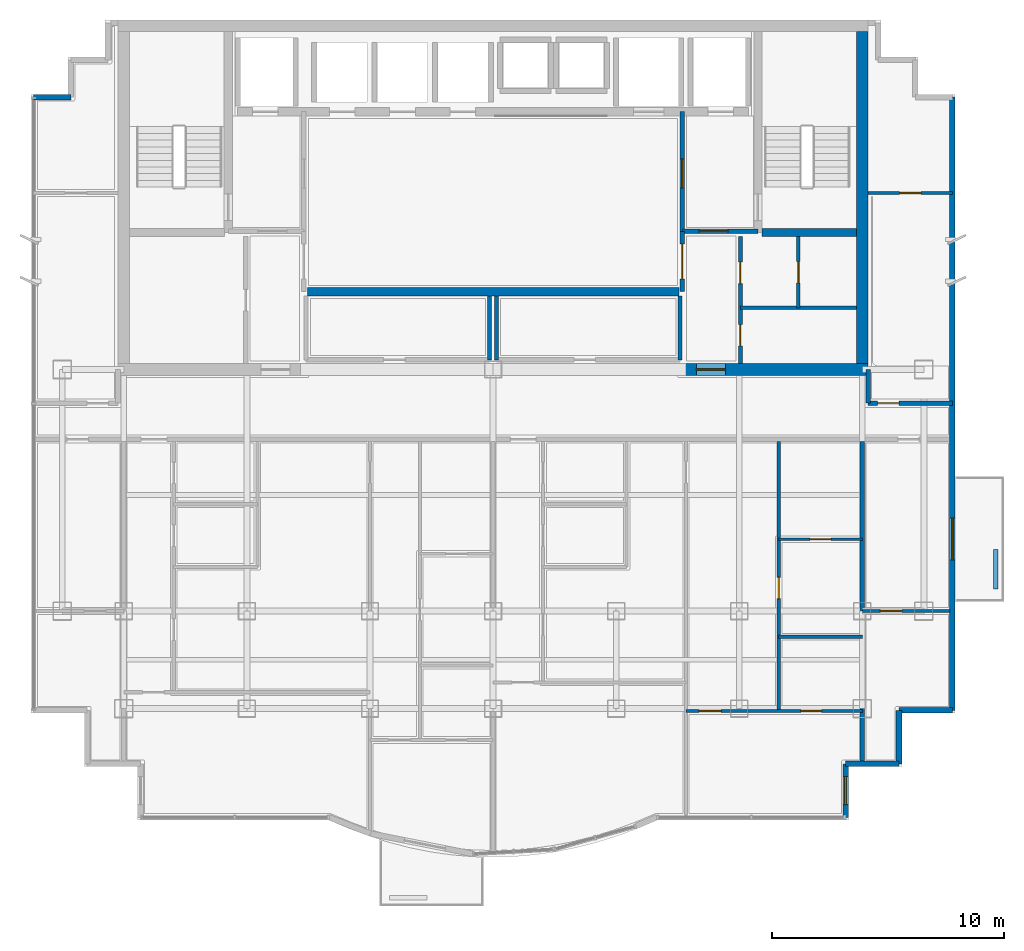
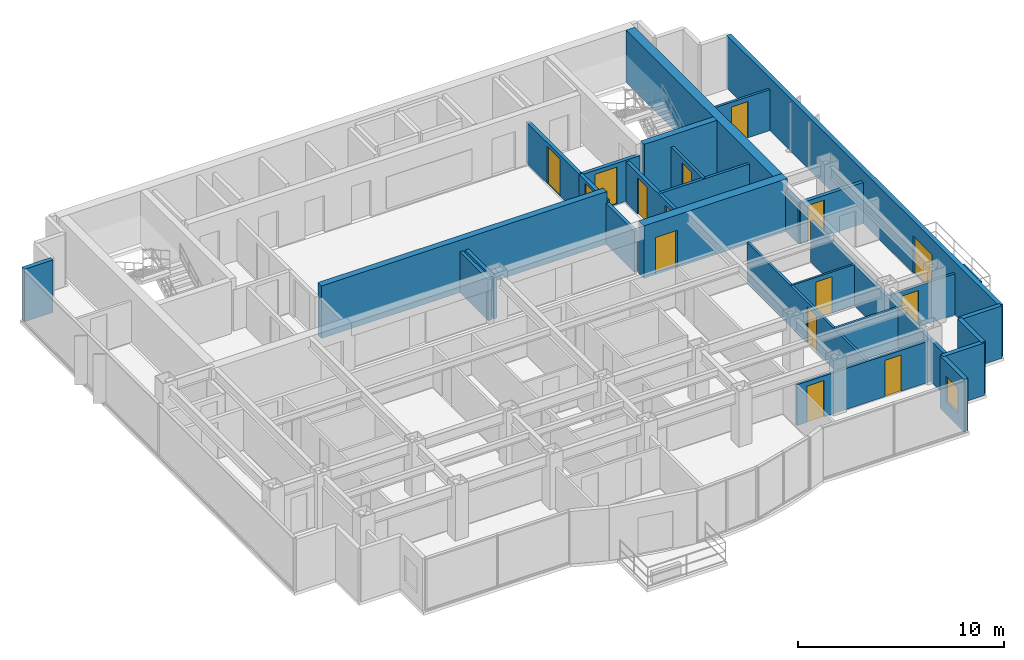
# One storey, part 8 of 11: 29 walls, 15 doors, 1 window, 16 openings.
"""IFC4 building model written with IfcOpenShell, lengths in metres."""

import ifcopenshell
import ifcopenshell.guid

model = None  # the IFC model being written
_history = None  # IfcOwnerHistory: only IFC2X3 demands one
_inside = {}  # id of a spatial element -> (the spatial element, [elements in it])
_under = {}  # id of a project, library or spatial element -> (it, [spatial elements below it])
_declared = {}  # id of a project -> (the project, [libraries it declares])
_typed = {}  # id of a type object -> (the type object, [elements of that type])
_made_of = {}  # id of a material, layer set ... -> (it, [elements and type objects made of it])


def new_model(schema):
    """Start an empty IFC model of exactly this schema.

    Asked for "IFC4X3", IfcOpenShell would pick the latest addendum, in which some entities
    have other attributes; the version numbers below select the first issue.
    IFC2X3 requires an IfcOwnerHistory on every rooted entity: one is made here for all.
    """
    global model, _history
    if schema == "IFC4X3":
        model = ifcopenshell.file(schema_version=(4, 3, 0, 0))
    else:
        model = ifcopenshell.file(schema=schema)
    _inside.clear()
    _under.clear()
    _declared.clear()
    _typed.clear()
    _made_of.clear()
    _history = None
    if model.schema == "IFC2X3":
        org = make("IfcOrganization", Name="unknown")
        user = make(
            "IfcPersonAndOrganization",
            ThePerson=make("IfcPerson", FamilyName="unknown"),
            TheOrganization=org,
        )
        app = make(
            "IfcApplication",
            ApplicationDeveloper=org,
            Version="unknown",
            ApplicationFullName="unknown",
            ApplicationIdentifier="unknown",
        )
        _history = make(
            "IfcOwnerHistory",
            OwningUser=user,
            OwningApplication=app,
            ChangeAction="ADDED",
            CreationDate=0,
        )
    return model


def make(cls, **values):
    """One entity of the class cls with the attributes given. An attribute that is None is left unset."""
    return model.create_entity(
        cls, **{name: value for name, value in values.items() if value is not None}
    )


def rooted(cls, **values):
    """An entity with a GlobalId (a new one), such as an element, a storey or a relation."""
    return make(cls, GlobalId=ifcopenshell.guid.new(), OwnerHistory=_history, **values)


def si_unit(unit_type, name, prefix=None):
    """IfcSIUnit, for example si_unit("LENGTHUNIT", "METRE", prefix="MILLI")."""
    return make("IfcSIUnit", UnitType=unit_type, Prefix=prefix, Name=name)


def assignment(units):
    """IfcUnitAssignment: the units of a project."""
    return None if units is None else make("IfcUnitAssignment", Units=units)


def point(xyz):
    """IfcCartesianPoint."""
    return None if xyz is None else make("IfcCartesianPoint", Coordinates=xyz)


def direction(xyz):
    """IfcDirection."""
    return None if xyz is None else make("IfcDirection", DirectionRatios=xyz)


def frame(location, z_axis=None, x_axis=None):
    """IfcAxis2Placement3D, a coordinate frame: its origin and axes. An axis left out is left unset."""
    return make(
        "IfcAxis2Placement3D",
        Location=point(location),
        Axis=direction(z_axis),
        RefDirection=direction(x_axis),
    )


def frame_2d(location, x_axis=None):
    """IfcAxis2Placement2D, a coordinate frame in the plane: its origin and x axis."""
    return make(
        "IfcAxis2Placement2D", Location=point(location), RefDirection=direction(x_axis)
    )


def origin():
    """The frame at (0, 0, 0) with its axes left unset."""
    return frame((0.0, 0.0, 0.0))


def place(relative_to, where):
    """IfcLocalPlacement: puts the frame where relative to a parent placement (None: the world)."""
    return make(
        "IfcLocalPlacement", PlacementRelTo=relative_to, RelativePlacement=where
    )


def context(
    kind, dimensions, precision=None, world=None, true_north=None, identifier=None
):
    """IfcGeometricRepresentationContext, for example the 3D "Model" context."""
    return make(
        "IfcGeometricRepresentationContext",
        ContextIdentifier=identifier,
        ContextType=kind,
        CoordinateSpaceDimension=dimensions,
        Precision=precision,
        WorldCoordinateSystem=world,
        TrueNorth=true_north,
    )


def subcontext(parent, identifier, kind, view, scale=None):
    """IfcGeometricRepresentationSubContext, for example "Body" below "Model"."""
    return make(
        "IfcGeometricRepresentationSubContext",
        ContextIdentifier=identifier,
        ContextType=kind,
        ParentContext=parent,
        TargetScale=scale,
        TargetView=view,
    )


def project(units=None, contexts=None):
    """IfcProject with its units and contexts."""
    return rooted(
        "IfcProject",
        Name="project",
        RepresentationContexts=contexts,
        UnitsInContext=assignment(units),
    )


def spatial(cls, under=None, at=None, **own):
    """A site, building, storey or space (cls), placed at a placement, below another one or the project."""
    s = rooted(cls, ObjectPlacement=at, **own)
    if under is not None:
        _under.setdefault(under.id(), (under, []))[1].append(s)
    return s


def profile(cls, at=None, kind="AREA", **sizes):
    """A parametric profile (cls). Its sizes go by their IFC names, for example OverallWidth=200.0."""
    return make(cls, ProfileType=kind, Position=at, **sizes)


def rectangle(**sizes):
    """IfcRectangleProfileDef."""
    return profile("IfcRectangleProfileDef", **sizes)


def extrude(swept, where, along, depth):
    """IfcExtrudedAreaSolid: the profile swept, set in the frame where, extruded along a direction by depth."""
    return make(
        "IfcExtrudedAreaSolid",
        SweptArea=swept,
        Position=where,
        ExtrudedDirection=direction(along),
        Depth=depth,
    )


def shape(context_of_items, identifier, shape_type, items):
    """IfcShapeRepresentation: the items that make up one representation, for example the "Body"."""
    return make(
        "IfcShapeRepresentation",
        ContextOfItems=context_of_items,
        RepresentationIdentifier=identifier,
        RepresentationType=shape_type,
        Items=items,
    )


def material(Name=None, Category=None):
    """IfcMaterial."""
    return make("IfcMaterial", Name=Name, Category=Category)


def layer(
    of_material, thickness, ventilated=None, Name=None, Category=None, Priority=None
):
    """IfcMaterialLayer: one layer of a wall or slab, of a material (None: an air gap)."""
    return make(
        "IfcMaterialLayer",
        Material=of_material,
        LayerThickness=thickness,
        IsVentilated=ventilated,
        Name=Name,
        Category=Category,
        Priority=Priority,
    )


def layer_set(layers, Name=None):
    """IfcMaterialLayerSet."""
    return make("IfcMaterialLayerSet", MaterialLayers=layers, LayerSetName=Name)


def made_of(thing, what):
    """Note that an element or type object is made of a material, layer set ...; save() writes the relation."""
    if what is not None:
        _made_of.setdefault(what.id(), (what, []))[1].append(thing)
    return thing


def type_object(cls, material=None, **own):
    """A type object (cls), such as IfcWallType, which elements share."""
    return made_of(rooted(cls, **own), material)


def element(
    cls,
    number,
    at=None,
    inside=None,
    cuts=None,
    type_object=None,
    material=None,
    context=None,
    identifier="Body",
    shape_type=None,
    held_by="IfcProductDefinitionShape",
    body=None,
    shapes=None,
    **own,
):
    """One element of the class cls, such as IfcWall. Its Tag is "e" and its number.

    at: its placement. inside: the storey or other place that contains it. cuts: it is an
    opening in that element (IfcRelVoidsElement). A single representation is given by context,
    identifier, shape_type and body (its items); several are given by shapes. held_by: the class
    of the entity that holds the representations. save() writes the other relations.
    """
    e = rooted(cls, Tag="e%d" % number, ObjectPlacement=at, **own)
    if body is not None:
        shapes = [shape(context, identifier, shape_type, body)]
    if shapes is not None:
        e.Representation = make(held_by, Representations=shapes)
    if inside is not None:
        _inside.setdefault(inside.id(), (inside, []))[1].append(e)
    if cuts is not None:
        rooted(
            "IfcRelVoidsElement", RelatingBuildingElement=cuts, RelatedOpeningElement=e
        )
    if type_object is not None:
        _typed.setdefault(type_object.id(), (type_object, []))[1].append(e)
    return made_of(e, material)


def fill(opening, filler):
    """IfcRelFillsElement: the door or window that sits in an opening."""
    return rooted(
        "IfcRelFillsElement",
        RelatingOpeningElement=opening,
        RelatedBuildingElement=filler,
    )


def aggregate(whole, parts):
    """IfcRelAggregates: a whole, such as a stair, and the parts it consists of."""
    return rooted("IfcRelAggregates", RelatingObject=whole, RelatedObjects=parts)


def save(model, path):
    """Write the relations noted so far, then the file.

    IfcRelAggregates (storeys below a building ...), IfcRelContainedInSpatialStructure (elements
    in a storey), IfcRelDefinesByType, IfcRelAssociatesMaterial and IfcRelDeclares: one each for
    every whole, place, type object, material and project.
    """
    for whole, parts in _under.values():
        aggregate(whole, parts)
    for where, things in _inside.values():
        rooted(
            "IfcRelContainedInSpatialStructure",
            RelatedElements=things,
            RelatingStructure=where,
        )
    for kind, things in _typed.values():
        rooted("IfcRelDefinesByType", RelatedObjects=things, RelatingType=kind)
    for what, things in _made_of.values():
        rooted("IfcRelAssociatesMaterial", RelatedObjects=things, RelatingMaterial=what)
    for by, libraries in _declared.values():
        rooted("IfcRelDeclares", RelatingContext=by, RelatedDefinitions=libraries)
    model.write(path)


model = new_model("IFC4")

# Units and contexts
model_context = context("Model", 3, precision=1e-05, world=origin(), true_north=direction((0.0, 1.0)))
body_context = subcontext(model_context, "Body", "Model", "MODEL_VIEW")
ifc_project = project(units=[si_unit("LENGTHUNIT", "METRE"), si_unit("AREAUNIT", "SQUARE_METRE"), si_unit("VOLUMEUNIT", "CUBIC_METRE"), si_unit("PLANEANGLEUNIT", "RADIAN"), si_unit("MASSUNIT", "GRAM", prefix="KILO")], contexts=[model_context])

# Site, building, storey
site_placement = place(None, origin())
site = spatial("IfcSite", under=ifc_project, at=site_placement, CompositionType="ELEMENT")
building_placement = place(site_placement, origin())
building = spatial("IfcBuilding", under=site, at=building_placement, Name="Qianlan Lanfeng Residences", CompositionType="ELEMENT")
storey_placement = place(building_placement, frame((0.0, 0.0, 226.39990234375)))
storey = spatial("IfcBuildingStorey", under=building, at=storey_placement, Name="L62", CompositionType="ELEMENT", Elevation=226.39990234375)

# Walls
ifc_material_1 = material(Name="Concrete C49", Category="concrete")
ifc_layer_1 = layer(ifc_material_1, 0.35009765625)
ifc_layer_set_1 = layer_set([ifc_layer_1], Name="Concrete C49")
wall_type_1 = type_object("IfcWallType", Name="CW-RC-350", PredefinedType="SHEAR", material=ifc_layer_set_1)
wall_1_placement = place(storey_placement, frame((38.074951171875, 31.10009765625, 0.0), z_axis=(0.0, 0.0, 1.0), x_axis=(1.0, 0.0, 0.0)))
element("IfcWall", 1, at=wall_1_placement, inside=storey, type_object=wall_type_1, Name="L62 Core Shear Wall ST2S", PredefinedType="SHEAR", context=body_context, shape_type="SweptSolid", body=[
    extrude(rectangle(XDim=4.074951171875, YDim=0.35009765625, at=frame_2d((2.03759765625, 0.0))), origin(), (0.0, 0.0, 1.0), 3.110107421875),
])
wall_2_placement = place(storey_placement, frame((18.5, 28.550048828125, 0.0), z_axis=(0.0, 0.0, 1.0), x_axis=(1.0, 0.0, 0.0)))
element("IfcWall", 2, at=wall_2_placement, inside=storey, type_object=wall_type_1, Name="L62 Core Shear Wall LBS", PredefinedType="SHEAR", context=body_context, shape_type="SweptSolid", body=[
    extrude(rectangle(XDim=16.0, YDim=0.35009765625, at=frame_2d((8.0, 0.0))), origin(), (0.0, 0.0, 1.0), 3.110107421875),
])
ifc_material_2 = material(Name="Concrete C70", Category="concrete")
ifc_layer_2 = layer(ifc_material_2, 0.5)
ifc_layer_set_2 = layer_set([ifc_layer_2], Name="Concrete C70")
wall_type_2 = type_object("IfcWallType", Name="CW-RC-500", PredefinedType="SHEAR", material=ifc_layer_set_2)
wall_3_placement = place(storey_placement, frame((42.39990234375, 25.449951171875, 0.0), z_axis=(0.0, 0.0, 1.0), x_axis=(0.0, 1.0, 0.0)))
element("IfcWall", 3, at=wall_3_placement, inside=storey, type_object=wall_type_2, Name="L62 Core Shear Wall E", PredefinedType="SHEAR", context=body_context, shape_type="SweptSolid", body=[
    extrude(rectangle(XDim=14.300048828125, YDim=0.5, at=frame_2d((7.14990234375, 0.0))), origin(), (0.0, 0.0, 1.0), 3.110107421875),
])

# Wall, opening, door
wall_4_placement = place(storey_placement, frame((34.60009765625, 25.199951171875, 0.0), z_axis=(0.0, 0.0, 1.0), x_axis=(1.0, 0.0, 0.0)))
wall_4 = element("IfcWall", 4, at=wall_4_placement, inside=storey, type_object=wall_type_2, Name="L62 Core Shear Wall SE", PredefinedType="SHEAR", context=body_context, shape_type="SweptSolid", body=[
    extrude(rectangle(XDim=8.0498046875, YDim=0.5, at=frame_2d((4.02490234375, 0.0))), origin(), (0.0, 0.0, 1.0), 3.110107421875),
])
opening_1_placement = place(wall_4_placement, frame((0.64990234375, 0.0, 0.0)))
opening_1 = element("IfcOpeningElement", 5, at=opening_1_placement, cuts=wall_4, Name="Opening L62-D02", PredefinedType="OPENING", context=body_context, shape_type="SweptSolid", body=[
    extrude(rectangle(XDim=1.25, YDim=2.199951171875, at=frame_2d((0.625, 1.10009765625))), frame((0.0, 0.260009765625, 0.0), z_axis=(0.0, -1.0, 0.0), x_axis=(1.0, 0.0, 0.0)), (0.0, 0.0, 1.0), 0.52001953125),
])
ifc_material_3 = material(Name="Painted Galvanised Steel Fire Door", Category="steel")
door_type_1 = type_object("IfcDoorType", Name="DT-FFL", OperationType="NOTDEFINED", PredefinedType="DOOR", material=ifc_material_3)
door_1_placement = place(opening_1_placement, origin())
door_1 = element("IfcDoor", 6, at=door_1_placement, inside=storey, type_object=door_type_1, Name="L62 East Core Lobby Smoke Door L62-D02 (DT-FFL)", OperationType="SINGLE_SWING_LEFT", OverallHeight=2.199951171875, OverallWidth=1.25, PredefinedType="DOOR", context=body_context, shape_type="SweptSolid", body=[
    extrude(rectangle(XDim=1.25, YDim=2.199951171875, at=frame_2d((0.625, 1.10009765625))), frame((0.0, 0.02490234375, 0.0), z_axis=(0.0, -1.0, 0.0), x_axis=(1.0, 0.0, 0.0)), (0.0, 0.0, 1.0), 0.050048828125),
])
fill(opening_1, door_1)

# Wall, opening, window
ifc_material_4 = material(Name="Concrete C42", Category="concrete")
ifc_layer_3 = layer(ifc_material_4, 0.239990234375)
ifc_layer_set_3 = layer_set([ifc_layer_3], Name="Concrete C42")
wall_type_3 = type_object("IfcWallType", Name="EW-240", PredefinedType="SOLIDWALL", material=ifc_layer_set_3)
wall_5_placement = place(storey_placement, frame((41.679931640625, 5.919921875, 0.0), z_axis=(0.0, 0.0, 1.0), x_axis=(0.0, 1.0, 0.0)))
wall_5 = element("IfcWall", 7, at=wall_5_placement, inside=storey, type_object=wall_type_3, Name="L62 Exterior Facade Spandrel Wall 8", PredefinedType="SOLIDWALL", context=body_context, shape_type="SweptSolid", body=[
    extrude(rectangle(XDim=2.300048828125, YDim=0.239990234375, at=frame_2d((1.14990234375, 0.0))), origin(), (0.0, 0.0, 1.0), 3.110107421875),
])
opening_2_placement = place(wall_5_placement, frame((0.550048828125, 0.0, 0.75)))
opening_2 = element("IfcOpeningElement", 8, at=opening_2_placement, cuts=wall_5, Name="Opening W-03", PredefinedType="OPENING", context=body_context, shape_type="SweptSolid", body=[
    extrude(rectangle(XDim=1.199951171875, YDim=1.5, at=frame_2d((0.60009765625, 0.75))), frame((0.0, 0.1298828125, 0.0), z_axis=(0.0, -1.0, 0.0), x_axis=(1.0, 0.0, 0.0)), (0.0, 0.0, 1.0), 0.260009765625),
])
ifc_material_5 = material(Name="Anodised Bronze Aluminium Framed Double Glazing", Category="aluminium")
window_type = type_object("IfcWindowType", Name="W-03", PartitioningType="SINGLE_PANEL", PredefinedType="WINDOW", material=ifc_material_5)
window_placement = place(opening_2_placement, origin())
window = element("IfcWindow", 9, at=window_placement, inside=storey, type_object=window_type, Name="L62 Facade Punched Window W-03", OverallHeight=1.5, OverallWidth=1.199951171875, PartitioningType="SINGLE_PANEL", PredefinedType="WINDOW", context=body_context, shape_type="SweptSolid", body=[
    extrude(rectangle(XDim=1.199951171875, YDim=1.5, at=frame_2d((0.60009765625, 0.75))), frame((0.0, 0.030029296875, 0.0), z_axis=(0.0, -1.0, 0.0), x_axis=(1.0, 0.0, 0.0)), (0.0, 0.0, 1.0), 0.06005859375),
])
fill(opening_2, window)

# Walls
for number, where, z_axis, x_axis, name in (
    (10, (41.679931640625, 8.219970703125, 0.0), (0.0, 0.0, 1.0), (1.0, 0.0, 0.0), "L62 Exterior Facade Spandrel Wall 9"),
    (11, (43.97998046875, 8.219970703125, 0.0), (0.0, 0.0, 1.0), (0.0, 1.0, 0.0), "L62 Exterior Facade Spandrel Wall 10"),
    (12, (43.97998046875, 10.52001953125, 0.0), (0.0, 0.0, 1.0), (1.0, 0.0, 0.0), "L62 Exterior Facade Spandrel Wall 11"),
):
    element("IfcWall", number, at=place(storey_placement, frame(where, z_axis=z_axis, x_axis=x_axis)), inside=storey, type_object=wall_type_3, Name=name, PredefinedType="SOLIDWALL", context=body_context, shape_type="SweptSolid", body=[
        extrude(rectangle(XDim=2.300048828125, YDim=0.239990234375, at=frame_2d((1.14990234375, 0.0))), origin(), (0.0, 0.0, 1.0), 3.110107421875),
    ])

# Wall, opening, door
wall_6_placement = place(storey_placement, frame((46.280029296875, 10.52001953125, 0.0), z_axis=(0.0, 0.0, 1.0), x_axis=(0.0, 1.0, 0.0)))
wall_6 = element("IfcWall", 13, at=wall_6_placement, inside=storey, type_object=wall_type_3, Name="L62 Terrace/Balcony Access Exterior Wall 12", PredefinedType="SOLIDWALL", context=body_context, shape_type="SweptSolid", body=[
    extrude(rectangle(XDim=26.409912109375, YDim=0.239990234375, at=frame_2d((13.205078125, 0.0))), origin(), (0.0, 0.0, 1.0), 3.110107421875),
])
opening_3_placement = place(wall_6_placement, frame((6.47998046875, 0.0, 0.0)))
opening_3 = element("IfcOpeningElement", 14, at=opening_3_placement, cuts=wall_6, Name="Opening L62-D-EB-S", PredefinedType="OPENING", context=body_context, shape_type="SweptSolid", body=[
    extrude(rectangle(XDim=1.800048828125, YDim=2.199951171875, at=frame_2d((0.89990234375, 1.10009765625))), frame((0.0, 0.1298828125, 0.0), z_axis=(0.0, -1.0, 0.0), x_axis=(1.0, 0.0, 0.0)), (0.0, 0.0, 1.0), 0.260009765625),
])
ifc_material_6 = material(Name="Anodised Bronze Aluminium Framed Glass", Category="aluminium")
door_type_2 = type_object("IfcDoorType", Name="DT-BAL1", OperationType="NOTDEFINED", PredefinedType="DOOR", material=ifc_material_6)
door_2_placement = place(opening_3_placement, frame((1.800048828125, 0.0, 0.0), z_axis=(0.0, 0.0, 1.0), x_axis=(-1.0, 0.0, 0.0)))
door_2 = element("IfcDoor", 15, at=door_2_placement, inside=storey, type_object=door_type_2, Name="L62 Exterior Access Door EB-S", OperationType="DOUBLE_DOOR_SLIDING", OverallHeight=2.199951171875, OverallWidth=1.800048828125, PredefinedType="DOOR", context=body_context, shape_type="SweptSolid", body=[
    extrude(rectangle(XDim=1.800048828125, YDim=2.199951171875, at=frame_2d((0.89990234375, 1.10009765625))), frame((0.0, 0.02490234375, 0.0), z_axis=(0.0, -1.0, 0.0), x_axis=(1.0, 0.0, 0.0)), (0.0, 0.0, 1.0), 0.050048828125),
])
fill(opening_3, door_2)

# Walls
wall_7_placement = place(storey_placement, frame((8.320068359375, 36.929931640625, 0.0), z_axis=(0.0, 0.0, 1.0), x_axis=(-1.0, 0.0, 0.0)))
element("IfcWall", 16, at=wall_7_placement, inside=storey, type_object=wall_type_3, Name="L62 Exterior Facade Spandrel Wall 22", PredefinedType="SOLIDWALL", context=body_context, shape_type="SweptSolid", body=[
    extrude(rectangle(XDim=1.60009765625, YDim=0.239990234375, at=frame_2d((0.800048828125, 0.0))), origin(), (0.0, 0.0, 1.0), 3.110107421875),
])
ifc_layer_4 = layer(ifc_material_4, 0.199951171875)
ifc_layer_set_4 = layer_set([ifc_layer_4], Name="Concrete C42")
wall_type_4 = type_object("IfcWallType", Name="PL-TREE-200", PredefinedType="PARAPET", material=ifc_layer_set_4)
wall_8_placement = place(storey_placement, frame((48.14990234375, 15.75, 0.0), z_axis=(0.0, 0.0, 1.0), x_axis=(0.0, 1.0, 0.0)))
element("IfcWall", 17, at=wall_8_placement, inside=storey, type_object=wall_type_4, Name="L62 East Tree Planter Curb EB-S", PredefinedType="PARAPET", context=body_context, shape_type="SweptSolid", body=[
    extrude(rectangle(XDim=1.699951171875, YDim=0.199951171875, at=frame_2d((0.85009765625, 0.0))), origin(), (0.0, 0.0, 1.0), 0.650146484375),
])

# Wall, opening, door
ifc_material_7 = material(Name="Demountable Acoustic Framing Partition 110 mm")
ifc_layer_5 = layer(ifc_material_7, 0.110107421875)
ifc_layer_set_5 = layer_set([ifc_layer_5], Name="Demountable Acoustic Framing Partition 110 mm")
wall_type_5 = type_object("IfcWallType", Name="PW-110", PredefinedType="MOVABLE", material=ifc_layer_set_5)
wall_9_placement = place(storey_placement, frame((38.800048828125, 17.89697265625, 0.0), z_axis=(0.0, 0.0, 1.0), x_axis=(1.0, 0.0, 0.0)))
wall_9 = element("IfcWall", 18, at=wall_9_placement, inside=storey, type_object=wall_type_5, Name="L62 U02 Wardrobe Split", PredefinedType="MOVABLE", context=body_context, shape_type="SweptSolid", body=[
    extrude(rectangle(XDim=3.599853515625, YDim=0.110107421875, at=frame_2d((1.7998046875, 0.0))), origin(), (0.0, 0.0, 1.0), 2.43017578125),
])
opening_4_placement = place(wall_9_placement, frame((1.340087890625, 0.0, 0.0)))
opening_4 = element("IfcOpeningElement", 19, at=opening_4_placement, cuts=wall_9, Name="Opening L62-D36", PredefinedType="OPENING", context=body_context, shape_type="SweptSolid", body=[
    extrude(rectangle(XDim=0.919921875, YDim=2.14990234375, at=frame_2d((0.4599609375, 1.074951171875))), frame((0.0, 0.06494140625, 0.0), z_axis=(0.0, -1.0, 0.0), x_axis=(1.0, 0.0, 0.0)), (0.0, 0.0, 1.0), 0.130126953125),
])
ifc_material_8 = material(Name="Glazed Timber Kitchen/Study Door", Category="wood")
door_type_3 = type_object("IfcDoorType", Name="DT-INT", OperationType="NOTDEFINED", PredefinedType="DOOR", material=ifc_material_8)
door_3_placement = place(opening_4_placement, origin())
door_3 = element("IfcDoor", 20, at=door_3_placement, inside=storey, type_object=door_type_3, Name="L62 U02 Dressing Inner Door L62-D36 (DT-INT)", OperationType="SINGLE_SWING_LEFT", OverallHeight=2.14990234375, OverallWidth=0.919921875, PredefinedType="DOOR", context=body_context, shape_type="SweptSolid", body=[
    extrude(rectangle(XDim=0.919921875, YDim=2.14990234375, at=frame_2d((0.4599609375, 1.074951171875))), frame((0.0, 0.02490234375, 0.0), z_axis=(0.0, -1.0, 0.0), x_axis=(1.0, 0.0, 0.0)), (0.0, 0.0, 1.0), 0.050048828125),
])
fill(opening_4, door_3)

# Wall, openings, doors
ifc_material_9 = material(Name="Moisture-Resistant Gypsum Partition 135 mm")
ifc_layer_6 = layer(ifc_material_9, 0.135009765625)
ifc_layer_set_6 = layer_set([ifc_layer_6], Name="Moisture-Resistant Gypsum Partition 135 mm")
wall_type_6 = type_object("IfcWallType", Name="PW-135", PredefinedType="PARTITIONING", material=ifc_layer_set_6)
wall_10_placement = place(storey_placement, frame((34.800048828125, 10.493896484375, 0.0), z_axis=(0.0, 0.0, 1.0), x_axis=(1.0, 0.0, 0.0)))
wall_10 = element("IfcWall", 21, at=wall_10_placement, inside=storey, type_object=wall_type_6, Name="L62 U02 Master Bedroom North Wall", PredefinedType="PARTITIONING", context=body_context, shape_type="SweptSolid", body=[
    extrude(rectangle(XDim=7.599853515625, YDim=0.135009765625, at=frame_2d((3.7998046875, 0.0))), origin(), (0.0, 0.0, 1.0), 2.43017578125),
])
opening_5_placement = place(wall_10_placement, frame((0.574951171875, 0.0, 0.0)))
opening_5 = element("IfcOpeningElement", 22, at=opening_5_placement, cuts=wall_10, Name="Opening L62-D33", PredefinedType="OPENING", context=body_context, shape_type="SweptSolid", body=[
    extrude(rectangle(XDim=0.949951171875, YDim=2.14990234375, at=frame_2d((0.47509765625, 1.074951171875))), frame((0.0, 0.07763671875, 0.0), z_axis=(0.0, -1.0, 0.0), x_axis=(1.0, 0.0, 0.0)), (0.0, 0.0, 1.0), 0.155029296875),
])
opening_6_placement = place(wall_10_placement, frame((4.949951171875, 0.0, 0.0)))
opening_6 = element("IfcOpeningElement", 23, at=opening_6_placement, cuts=wall_10, Name="Opening L62-D34", PredefinedType="OPENING", context=body_context, shape_type="SweptSolid", body=[
    extrude(rectangle(XDim=0.89990234375, YDim=2.14990234375, at=frame_2d((0.449951171875, 1.074951171875))), frame((0.0, 0.07763671875, 0.0), z_axis=(0.0, -1.0, 0.0), x_axis=(1.0, 0.0, 0.0)), (0.0, 0.0, 1.0), 0.155029296875),
])
ifc_material_10 = material(Name="Painted Solid-Core Timber Leaf", Category="wood")
door_type_4 = type_object("IfcDoorType", Name="DT-BED", OperationType="NOTDEFINED", PredefinedType="DOOR", material=ifc_material_10)
door_4_placement = place(opening_5_placement, frame((0.949951171875, 0.0, 0.0), z_axis=(0.0, 0.0, 1.0), x_axis=(-1.0, 0.0, 0.0)))
door_4 = element("IfcDoor", 24, at=door_4_placement, inside=storey, type_object=door_type_4, Name="L62 U02 Master Bedroom Door L62-D33 (DT-BED)", OperationType="SINGLE_SWING_RIGHT", OverallHeight=2.14990234375, OverallWidth=0.949951171875, PredefinedType="DOOR", context=body_context, shape_type="SweptSolid", body=[
    extrude(rectangle(XDim=0.949951171875, YDim=2.14990234375, at=frame_2d((0.47509765625, 1.074951171875))), frame((0.0, 0.02490234375, 0.0), z_axis=(0.0, -1.0, 0.0), x_axis=(1.0, 0.0, 0.0)), (0.0, 0.0, 1.0), 0.050048828125),
])
fill(opening_5, door_4)
ifc_material_11 = material(Name="Moisture-Resistant Timber Leaf", Category="wood")
door_type_5 = type_object("IfcDoorType", Name="DT-WC", OperationType="NOTDEFINED", PredefinedType="DOOR", material=ifc_material_11)
door_5_placement = place(opening_6_placement, origin())
door_5 = element("IfcDoor", 25, at=door_5_placement, inside=storey, type_object=door_type_5, Name="L62 U02 En-Suite Bathroom Door L62-D34 (DT-WC)", OperationType="SINGLE_SWING_LEFT", OverallHeight=2.14990234375, OverallWidth=0.89990234375, PredefinedType="DOOR", context=body_context, shape_type="SweptSolid", body=[
    extrude(rectangle(XDim=0.89990234375, YDim=2.14990234375, at=frame_2d((0.449951171875, 1.074951171875))), frame((0.0, 0.02490234375, 0.0), z_axis=(0.0, -1.0, 0.0), x_axis=(1.0, 0.0, 0.0)), (0.0, 0.0, 1.0), 0.050048828125),
])
fill(opening_6, door_5)

# Wall, opening, door
wall_11_placement = place(storey_placement, frame((38.800048828125, 10.493896484375, 0.0), z_axis=(0.0, 0.0, 1.0), x_axis=(0.0, 1.0, 0.0)))
wall_11 = element("IfcWall", 26, at=wall_11_placement, inside=storey, type_object=wall_type_6, Name="L62 U02 Master Passage Wall", PredefinedType="PARTITIONING", context=body_context, shape_type="SweptSolid", body=[
    extrude(rectangle(XDim=11.606201171875, YDim=0.135009765625, at=frame_2d((5.80322265625, 0.0))), origin(), (0.0, 0.0, 1.0), 2.43017578125),
])
opening_7_placement = place(wall_11_placement, frame((4.841064453125, 0.0, 0.0)))
opening_7 = element("IfcOpeningElement", 27, at=opening_7_placement, cuts=wall_11, Name="Opening L62-D35", PredefinedType="OPENING", context=body_context, shape_type="SweptSolid", body=[
    extrude(rectangle(XDim=0.919921875, YDim=2.14990234375, at=frame_2d((0.4599609375, 1.074951171875))), frame((0.0, 0.07763671875, 0.0), z_axis=(0.0, -1.0, 0.0), x_axis=(1.0, 0.0, 0.0)), (0.0, 0.0, 1.0), 0.155029296875),
])
door_6_placement = place(opening_7_placement, origin())
door_6 = element("IfcDoor", 28, at=door_6_placement, inside=storey, type_object=door_type_3, Name="L62 U02 Wardrobe Door L62-D35 (DT-INT)", OperationType="SINGLE_SWING_RIGHT", OverallHeight=2.14990234375, OverallWidth=0.919921875, PredefinedType="DOOR", context=body_context, shape_type="SweptSolid", body=[
    extrude(rectangle(XDim=0.919921875, YDim=2.14990234375, at=frame_2d((0.4599609375, 1.074951171875))), frame((0.0, 0.02490234375, 0.0), z_axis=(0.0, -1.0, 0.0), x_axis=(1.0, 0.0, 0.0)), (0.0, 0.0, 1.0), 0.050048828125),
])
fill(opening_7, door_6)

# Wall
wall_12_placement = place(storey_placement, frame((38.800048828125, 13.694091796875, 0.0), z_axis=(0.0, 0.0, 1.0), x_axis=(1.0, 0.0, 0.0)))
element("IfcWall", 29, at=wall_12_placement, inside=storey, type_object=wall_type_6, Name="L62 U02 En-Suite North Wall", PredefinedType="PARTITIONING", context=body_context, shape_type="SweptSolid", body=[
    extrude(rectangle(XDim=3.599853515625, YDim=0.135009765625, at=frame_2d((1.7998046875, 0.0))), origin(), (0.0, 0.0, 1.0), 2.43017578125),
])

# Wall, opening, door
wall_13_placement = place(storey_placement, frame((42.39990234375, 14.800048828125, 0.0), z_axis=(0.0, 0.0, 1.0), x_axis=(1.0, 0.0, 0.0)))
wall_13 = element("IfcWall", 30, at=wall_13_placement, inside=storey, type_object=wall_type_6, Name="L62 SEP Mid Partition", PredefinedType="PARTITIONING", context=body_context, shape_type="SweptSolid", body=[
    extrude(rectangle(XDim=3.780029296875, YDim=0.135009765625, at=frame_2d((1.89013671875, 0.0))), origin(), (0.0, 0.0, 1.0), 2.43017578125),
])
opening_8_placement = place(wall_13_placement, frame((0.780029296875, 0.0, 0.0)))
opening_8 = element("IfcOpeningElement", 31, at=opening_8_placement, cuts=wall_13, Name="Opening L62-D39", PredefinedType="OPENING", context=body_context, shape_type="SweptSolid", body=[
    extrude(rectangle(XDim=0.919921875, YDim=2.14990234375, at=frame_2d((0.4599609375, 1.074951171875))), frame((0.0, 0.07763671875, 0.0), z_axis=(0.0, -1.0, 0.0), x_axis=(1.0, 0.0, 0.0)), (0.0, 0.0, 1.0), 0.155029296875),
])
door_7_placement = place(opening_8_placement, origin())
door_7 = element("IfcDoor", 32, at=door_7_placement, inside=storey, type_object=door_type_3, Name="L62 SEP Inner Door L62-D39 (DT-INT)", OperationType="SINGLE_SWING_RIGHT", OverallHeight=2.14990234375, OverallWidth=0.919921875, PredefinedType="DOOR", context=body_context, shape_type="SweptSolid", body=[
    extrude(rectangle(XDim=0.919921875, YDim=2.14990234375, at=frame_2d((0.4599609375, 1.074951171875))), frame((0.0, 0.02490234375, 0.0), z_axis=(0.0, -1.0, 0.0), x_axis=(1.0, 0.0, 0.0)), (0.0, 0.0, 1.0), 0.050048828125),
])
fill(opening_8, door_7)

wall_14_placement = place(storey_placement, frame((42.64990234375, 32.800048828125, 0.0), z_axis=(0.0, 0.0, 1.0), x_axis=(1.0, 0.0, 0.0)))
wall_14 = element("IfcWall", 33, at=wall_14_placement, inside=storey, type_object=wall_type_6, Name="L62 EW North Wing Wall", PredefinedType="PARTITIONING", context=body_context, shape_type="SweptSolid", body=[
    extrude(rectangle(XDim=3.630126953125, YDim=0.135009765625, at=frame_2d((1.81494140625, 0.0))), origin(), (0.0, 0.0, 1.0), 2.43017578125),
])
opening_9_placement = place(wall_14_placement, frame((1.35498046875, 0.0, 0.0)))
opening_9 = element("IfcOpeningElement", 34, at=opening_9_placement, cuts=wall_14, Name="Opening L62-D43", PredefinedType="OPENING", context=body_context, shape_type="SweptSolid", body=[
    extrude(rectangle(XDim=0.919921875, YDim=2.14990234375, at=frame_2d((0.4599609375, 1.074951171875))), frame((0.0, 0.07763671875, 0.0), z_axis=(0.0, -1.0, 0.0), x_axis=(1.0, 0.0, 0.0)), (0.0, 0.0, 1.0), 0.155029296875),
])
door_8_placement = place(opening_9_placement, origin())
door_8 = element("IfcDoor", 35, at=door_8_placement, inside=storey, type_object=door_type_3, Name="L62 EW Inner Salon Door L62-D43 (DT-INT)", OperationType="SINGLE_SWING_RIGHT", OverallHeight=2.14990234375, OverallWidth=0.919921875, PredefinedType="DOOR", context=body_context, shape_type="SweptSolid", body=[
    extrude(rectangle(XDim=0.919921875, YDim=2.14990234375, at=frame_2d((0.4599609375, 1.074951171875))), frame((0.0, 0.02490234375, 0.0), z_axis=(0.0, -1.0, 0.0), x_axis=(1.0, 0.0, 0.0)), (0.0, 0.0, 1.0), 0.050048828125),
])
fill(opening_9, door_8)

# Wall
ifc_material_12 = material(Name="Acoustic Drywall Partition 150 mm")
ifc_layer_7 = layer(ifc_material_12, 0.14990234375)
ifc_layer_set_7 = layer_set([ifc_layer_7], Name="Acoustic Drywall Partition 150 mm")
wall_type_7 = type_object("IfcWallType", Name="PW-150", PredefinedType="PARTITIONING", material=ifc_layer_set_7)
wall_15_placement = place(storey_placement, frame((37.14990234375, 27.85009765625, 0.0), z_axis=(0.0, 0.0, 1.0), x_axis=(1.0, 0.0, 0.0)))
element("IfcWall", 36, at=wall_15_placement, inside=storey, type_object=wall_type_7, Name="L62 Core East H Split", PredefinedType="PARTITIONING", context=body_context, shape_type="SweptSolid", body=[
    extrude(rectangle(XDim=5.0, YDim=0.14990234375, at=frame_2d((2.5, 0.0))), origin(), (0.0, 0.0, 1.0), 2.43017578125),
])

# Wall, opening, door
wall_16_placement = place(storey_placement, frame((39.64990234375, 27.85009765625, 0.0), z_axis=(0.0, 0.0, 1.0), x_axis=(0.0, 1.0, 0.0)))
wall_16 = element("IfcWall", 37, at=wall_16_placement, inside=storey, type_object=wall_type_7, Name="L62 Core East V Split", PredefinedType="PARTITIONING", context=body_context, shape_type="SweptSolid", body=[
    extrude(rectangle(XDim=3.074951171875, YDim=0.14990234375, at=frame_2d((1.53759765625, 0.0))), origin(), (0.0, 0.0, 1.0), 2.43017578125),
])
opening_10_placement = place(wall_16_placement, frame((1.077880859375, 0.0, 0.0)))
opening_10 = element("IfcOpeningElement", 38, at=opening_10_placement, cuts=wall_16, Name="Opening L62-D12", PredefinedType="OPENING", context=body_context, shape_type="SweptSolid", body=[
    extrude(rectangle(XDim=0.919921875, YDim=2.14990234375, at=frame_2d((0.4599609375, 1.074951171875))), frame((0.0, 0.0849609375, 0.0), z_axis=(0.0, -1.0, 0.0), x_axis=(1.0, 0.0, 0.0)), (0.0, 0.0, 1.0), 0.169921875),
])
door_9_placement = place(opening_10_placement, origin())
door_9 = element("IfcDoor", 39, at=door_9_placement, inside=storey, type_object=door_type_3, Name="L62 Inner Supply Closet Door L62-D12 (DT-INT)", OperationType="SINGLE_SWING_LEFT", OverallHeight=2.14990234375, OverallWidth=0.919921875, PredefinedType="DOOR", context=body_context, shape_type="SweptSolid", body=[
    extrude(rectangle(XDim=0.919921875, YDim=2.14990234375, at=frame_2d((0.4599609375, 1.074951171875))), frame((0.0, 0.02490234375, 0.0), z_axis=(0.0, -1.0, 0.0), x_axis=(1.0, 0.0, 0.0)), (0.0, 0.0, 1.0), 0.050048828125),
])
fill(opening_10, door_9)

# Wall, openings, doors
ifc_material_13 = material(Name="Double-Layer Acoustic Gypsum Stud Wall 180 mm")
ifc_layer_8 = layer(ifc_material_13, 0.179931640625)
ifc_layer_set_8 = layer_set([ifc_layer_8], Name="Double-Layer Acoustic Gypsum Stud Wall 180 mm")
wall_type_8 = type_object("IfcWallType", Name="PW-180", PredefinedType="PARTITIONING", material=ifc_layer_set_8)
wall_17_placement = place(storey_placement, frame((37.14990234375, 25.449951171875, 0.0), z_axis=(0.0, 0.0, 1.0), x_axis=(0.0, 1.0, 0.0)))
wall_17 = element("IfcWall", 40, at=wall_17_placement, inside=storey, type_object=wall_type_8, Name="L62 Core East Service Room Wall", PredefinedType="PARTITIONING", context=body_context, shape_type="SweptSolid", body=[
    extrude(rectangle(XDim=5.47509765625, YDim=0.179931640625, at=frame_2d((2.737548828125, 0.0))), origin(), (0.0, 0.0, 1.0), 2.43017578125),
])
opening_11_placement = place(wall_17_placement, frame((0.764892578125, 0.0, 0.0)))
opening_11 = element("IfcOpeningElement", 41, at=opening_11_placement, cuts=wall_17, Name="Opening L62-D10", PredefinedType="OPENING", context=body_context, shape_type="SweptSolid", body=[
    extrude(rectangle(XDim=0.919921875, YDim=2.14990234375, at=frame_2d((0.4599609375, 1.074951171875))), frame((0.0, 0.10009765625, 0.0), z_axis=(0.0, -1.0, 0.0), x_axis=(1.0, 0.0, 0.0)), (0.0, 0.0, 1.0), 0.199951171875),
])
opening_12_placement = place(wall_17_placement, frame((3.451904296875, 0.0, 0.0)))
opening_12 = element("IfcOpeningElement", 42, at=opening_12_placement, cuts=wall_17, Name="Opening L62-D11", PredefinedType="OPENING", context=body_context, shape_type="SweptSolid", body=[
    extrude(rectangle(XDim=0.919921875, YDim=2.14990234375, at=frame_2d((0.4599609375, 1.074951171875))), frame((0.0, 0.10009765625, 0.0), z_axis=(0.0, -1.0, 0.0), x_axis=(1.0, 0.0, 0.0)), (0.0, 0.0, 1.0), 0.199951171875),
])
door_10_placement = place(opening_11_placement, origin())
door_10 = element("IfcDoor", 43, at=door_10_placement, inside=storey, type_object=door_type_3, Name="L62 Refuse Room Door L62-D10 (DT-INT)", OperationType="SINGLE_SWING_LEFT", OverallHeight=2.14990234375, OverallWidth=0.919921875, PredefinedType="DOOR", context=body_context, shape_type="SweptSolid", body=[
    extrude(rectangle(XDim=0.919921875, YDim=2.14990234375, at=frame_2d((0.4599609375, 1.074951171875))), frame((0.0, 0.02490234375, 0.0), z_axis=(0.0, -1.0, 0.0), x_axis=(1.0, 0.0, 0.0)), (0.0, 0.0, 1.0), 0.050048828125),
])
fill(opening_11, door_10)
door_11_placement = place(opening_12_placement, origin())
door_11 = element("IfcDoor", 44, at=door_11_placement, inside=storey, type_object=door_type_3, Name="L62 Janitor Outer Door L62-D11 (DT-INT)", OperationType="SINGLE_SWING_RIGHT", OverallHeight=2.14990234375, OverallWidth=0.919921875, PredefinedType="DOOR", context=body_context, shape_type="SweptSolid", body=[
    extrude(rectangle(XDim=0.919921875, YDim=2.14990234375, at=frame_2d((0.4599609375, 1.074951171875))), frame((0.0, 0.02490234375, 0.0), z_axis=(0.0, -1.0, 0.0), x_axis=(1.0, 0.0, 0.0)), (0.0, 0.0, 1.0), 0.050048828125),
])
fill(opening_12, door_11)

# Walls
for number, where, z_axis, x_axis, name in (
    (45, (26.35009765625, 25.6201171875, 0.0), (0.0, 0.0, 1.0), (0.0, 1.0, 0.0), "L62 Reclaimed Low-Bank Room East Wall"),
    (46, (26.64990234375, 25.6201171875, 0.0), (0.0, 0.0, 1.0), (0.0, 1.0, 0.0), "L62 Reclaimed Mid-Bank Room West Wall"),
    (47, (34.550048828125, 25.6201171875, 0.0), (0.0, 0.0, 1.0), (0.0, 1.0, 0.0), "L62 Reclaimed Mid-Bank Room East Wall"),
):
    element("IfcWall", number, at=place(storey_placement, frame(where, z_axis=z_axis, x_axis=x_axis)), inside=storey, type_object=wall_type_8, Name=name, PredefinedType="PARTITIONING", context=body_context, shape_type="SweptSolid", body=[
        extrude(rectangle(XDim=2.7548828125, YDim=0.179931640625, at=frame_2d((1.37744140625, 0.0))), origin(), (0.0, 0.0, 1.0), 2.43017578125),
    ])
wall_18_placement = place(storey_placement, frame((42.39990234375, 8.320068359375, 0.0), z_axis=(0.0, 0.0, 1.0), x_axis=(0.0, 1.0, 0.0)))
element("IfcWall", 48, at=wall_18_placement, inside=storey, type_object=wall_type_8, Name="L62 Wing Boundary Party Wall E0", PredefinedType="PARTITIONING", context=body_context, shape_type="SweptSolid", body=[
    extrude(rectangle(XDim=13.780029296875, YDim=0.179931640625, at=frame_2d((6.89013671875, 0.0))), origin(), (0.0, 0.0, 1.0), 2.43017578125),
])

# Wall, opening, door
ifc_material_14 = material(Name="Autoclaved Aerated Concrete Blockwork 200 mm", Category="masonry")
ifc_layer_9 = layer(ifc_material_14, 0.199951171875)
ifc_layer_set_9 = layer_set([ifc_layer_9], Name="Autoclaved Aerated Concrete Blockwork 200 mm")
wall_type_9 = type_object("IfcWallType", Name="PW-200", PredefinedType="PARTITIONING", material=ifc_layer_set_9)
wall_19_placement = place(storey_placement, frame((34.64990234375, 31.14990234375, 0.0), z_axis=(0.0, 0.0, 1.0), x_axis=(1.0, 0.0, 0.0)))
wall_19 = element("IfcWall", 49, at=wall_19_placement, inside=storey, type_object=wall_type_9, Name="L62 Firefighting Lobby 2 South Wall", PredefinedType="PARTITIONING", context=body_context, shape_type="SweptSolid", body=[
    extrude(rectangle(XDim=3.25, YDim=0.199951171875, at=frame_2d((1.625, 0.0))), origin(), (0.0, 0.0, 1.0), 2.43017578125),
])
opening_13_placement = place(wall_19_placement, frame((0.72509765625, 0.0, 0.0)))
opening_13 = element("IfcOpeningElement", 50, at=opening_13_placement, cuts=wall_19, Name="Opening L62-D05", PredefinedType="OPENING", context=body_context, shape_type="SweptSolid", body=[
    extrude(rectangle(XDim=1.25, YDim=2.199951171875, at=frame_2d((0.625, 1.10009765625))), frame((0.0, 0.10986328125, 0.0), z_axis=(0.0, -1.0, 0.0), x_axis=(1.0, 0.0, 0.0)), (0.0, 0.0, 1.0), 0.219970703125),
])
door_12_placement = place(opening_13_placement, origin())
door_12 = element("IfcDoor", 51, at=door_12_placement, inside=storey, type_object=door_type_1, Name="L62 Firefighting Lobby 2 Entry Door L62-D05 (DT-FFL)", OperationType="SINGLE_SWING_RIGHT", OverallHeight=2.199951171875, OverallWidth=1.25, PredefinedType="DOOR", context=body_context, shape_type="SweptSolid", body=[
    extrude(rectangle(XDim=1.25, YDim=2.199951171875, at=frame_2d((0.625, 1.10009765625))), frame((0.0, 0.02490234375, 0.0), z_axis=(0.0, -1.0, 0.0), x_axis=(1.0, 0.0, 0.0)), (0.0, 0.0, 1.0), 0.050048828125),
])
fill(opening_13, door_12)

wall_20_placement = place(storey_placement, frame((34.64990234375, 31.14990234375, 0.0), z_axis=(0.0, 0.0, 1.0), x_axis=(0.0, 1.0, 0.0)))
wall_20 = element("IfcWall", 52, at=wall_20_placement, inside=storey, type_object=wall_type_9, Name="L62 Firefighting Lobby 2 West Wall", PredefinedType="PARTITIONING", context=body_context, shape_type="SweptSolid", body=[
    extrude(rectangle(XDim=5.150146484375, YDim=0.199951171875, at=frame_2d((2.5751953125, 0.0))), origin(), (0.0, 0.0, 1.0), 2.43017578125),
])
opening_14_placement = place(wall_20_placement, frame((1.875, 0.0, 0.0)))
opening_14 = element("IfcOpeningElement", 53, at=opening_14_placement, cuts=wall_20, Name="Opening L62-D06", PredefinedType="OPENING", context=body_context, shape_type="SweptSolid", body=[
    extrude(rectangle(XDim=1.25, YDim=2.199951171875, at=frame_2d((0.625, 1.10009765625))), frame((0.0, 0.10986328125, 0.0), z_axis=(0.0, -1.0, 0.0), x_axis=(1.0, 0.0, 0.0)), (0.0, 0.0, 1.0), 0.219970703125),
])
door_13_placement = place(opening_14_placement, origin())
door_13 = element("IfcDoor", 54, at=door_13_placement, inside=storey, type_object=door_type_1, Name="L62 Firefighting Lobby 2 Lift Lobby Door L62-D06 (DT-FFL)", OperationType="SINGLE_SWING_LEFT", OverallHeight=2.199951171875, OverallWidth=1.25, PredefinedType="DOOR", context=body_context, shape_type="SweptSolid", body=[
    extrude(rectangle(XDim=1.25, YDim=2.199951171875, at=frame_2d((0.625, 1.10009765625))), frame((0.0, 0.02490234375, 0.0), z_axis=(0.0, -1.0, 0.0), x_axis=(1.0, 0.0, 0.0)), (0.0, 0.0, 1.0), 0.050048828125),
])
fill(opening_14, door_13)

wall_21_placement = place(storey_placement, frame((34.64990234375, 28.550048828125, 0.0), z_axis=(0.0, 0.0, 1.0), x_axis=(0.0, 1.0, 0.0)))
wall_21 = element("IfcWall", 55, at=wall_21_placement, inside=storey, type_object=wall_type_9, Name="L62 Lift Lobby East Connector Wall", PredefinedType="PARTITIONING", context=body_context, shape_type="SweptSolid", body=[
    extrude(rectangle(XDim=2.599853515625, YDim=0.199951171875, at=frame_2d((1.2998046875, 0.0))), origin(), (0.0, 0.0, 1.0), 2.43017578125),
])
opening_15_placement = place(wall_21_placement, frame((0.550048828125, 0.0, 0.0)))
opening_15 = element("IfcOpeningElement", 56, at=opening_15_placement, cuts=wall_21, Name="Opening L62-D14", PredefinedType="OPENING", context=body_context, shape_type="SweptSolid", body=[
    extrude(rectangle(XDim=1.5, YDim=2.25, at=frame_2d((0.75, 1.125))), frame((0.0, 0.10986328125, 0.0), z_axis=(0.0, -1.0, 0.0), x_axis=(1.0, 0.0, 0.0)), (0.0, 0.0, 1.0), 0.219970703125),
])
ifc_material_15 = material(Name="Timber Veneer Acoustic Fire Door", Category="wood")
door_type_6 = type_object("IfcDoorType", Name="DT-COR1", OperationType="NOTDEFINED", PredefinedType="DOOR", material=ifc_material_15)
door_14_placement = place(opening_15_placement, frame((1.5, 0.0, 0.0), z_axis=(0.0, 0.0, 1.0), x_axis=(-1.0, 0.0, 0.0)))
door_14 = element("IfcDoor", 57, at=door_14_placement, inside=storey, type_object=door_type_6, Name="L62 Lift Lobby East Portal Door L62-D14 (DT-COR1)", OperationType="DOUBLE_DOOR_SINGLE_SWING", OverallHeight=2.25, OverallWidth=1.5, PredefinedType="DOOR", context=body_context, shape_type="SweptSolid", body=[
    extrude(rectangle(XDim=1.5, YDim=2.25, at=frame_2d((0.75, 1.125))), frame((0.0, 0.02490234375, 0.0), z_axis=(0.0, -1.0, 0.0), x_axis=(1.0, 0.0, 0.0)), (0.0, 0.0, 1.0), 0.050048828125),
])
fill(opening_15, door_14)

wall_22_placement = place(storey_placement, frame((42.64990234375, 23.75, 0.0), z_axis=(0.0, 0.0, 1.0), x_axis=(1.0, 0.0, 0.0)))
wall_22 = element("IfcWall", 58, at=wall_22_placement, inside=storey, type_object=wall_type_9, Name="L62 Corridor NE Wall", PredefinedType="PARTITIONING", context=body_context, shape_type="SweptSolid", body=[
    extrude(rectangle(XDim=3.630126953125, YDim=0.199951171875, at=frame_2d((1.81494140625, 0.0))), origin(), (0.0, 0.0, 1.0), 2.43017578125),
])
opening_16_placement = place(wall_22_placement, frame((0.405029296875, 0.0, 0.0)))
opening_16 = element("IfcOpeningElement", 59, at=opening_16_placement, cuts=wall_22, Name="Opening L62-D44", PredefinedType="OPENING", context=body_context, shape_type="SweptSolid", body=[
    extrude(rectangle(XDim=0.919921875, YDim=2.14990234375, at=frame_2d((0.4599609375, 1.074951171875))), frame((0.0, 0.10986328125, 0.0), z_axis=(0.0, -1.0, 0.0), x_axis=(1.0, 0.0, 0.0)), (0.0, 0.0, 1.0), 0.219970703125),
])
door_15_placement = place(opening_16_placement, origin())
door_15 = element("IfcDoor", 60, at=door_15_placement, inside=storey, type_object=door_type_3, Name="L62 EW Amenity Salon Door L62-D44 (DT-INT)", OperationType="SINGLE_SWING_RIGHT", OverallHeight=2.14990234375, OverallWidth=0.919921875, PredefinedType="DOOR", context=body_context, shape_type="SweptSolid", body=[
    extrude(rectangle(XDim=0.919921875, YDim=2.14990234375, at=frame_2d((0.4599609375, 1.074951171875))), frame((0.0, 0.02490234375, 0.0), z_axis=(0.0, -1.0, 0.0), x_axis=(1.0, 0.0, 0.0)), (0.0, 0.0, 1.0), 0.050048828125),
])
fill(opening_16, door_15)

# Wall
wall_23_placement = place(storey_placement, frame((42.64990234375, 23.75, 0.0), z_axis=(0.0, 0.0, 1.0), x_axis=(0.0, 1.0, 0.0)))
element("IfcWall", 61, at=wall_23_placement, inside=storey, type_object=wall_type_9, Name="L62 NE Wing Core Return Wall", PredefinedType="PARTITIONING", context=body_context, shape_type="SweptSolid", body=[
    extrude(rectangle(XDim=1.449951171875, YDim=0.199951171875, at=frame_2d((0.72509765625, 0.0))), origin(), (0.0, 0.0, 1.0), 2.43017578125),
])

save(model, "model.ifc")
